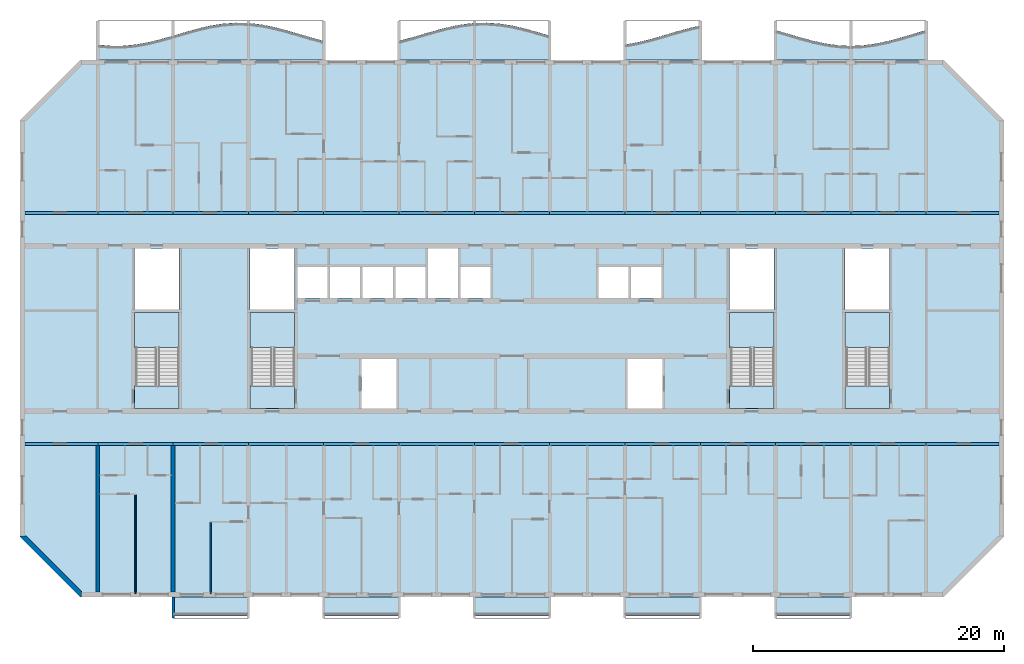
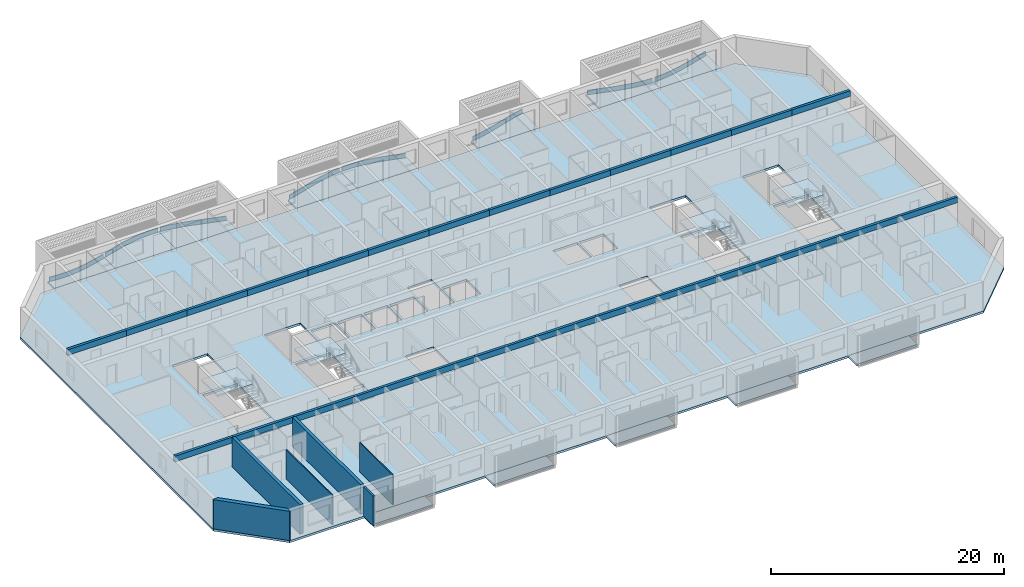
# One storey, part 1 of 32: 26 beams, 22 slabs, 8 plates, 6 walls, 4 elements without a shape of their own.
"""IFC4 building model written with IfcOpenShell, lengths in metres."""

from ifc_helpers import new_model, si_unit, direction, frame, frame_2d, origin, origin_2d, place, context, subcontext, project, spatial, polyline, rectangle, outline, extrude, source, transform, mapped, material, layer, layer_set, material_profile, profile_set, type_object, element, aggregate, save


model = new_model("IFC4")

# Units and contexts
model_context = context("Model", 3, precision=1e-05, world=origin(), true_north=direction((0.0, 1.0)))
body_context = subcontext(model_context, "Body", "Model", "MODEL_VIEW")
ifc_project = project(units=[si_unit("LENGTHUNIT", "METRE"), si_unit("AREAUNIT", "SQUARE_METRE"), si_unit("VOLUMEUNIT", "CUBIC_METRE"), si_unit("PLANEANGLEUNIT", "RADIAN"), si_unit("MASSUNIT", "GRAM", prefix="KILO")], contexts=[model_context])

# Site, building, storey
site_placement = place(None, origin())
site = spatial("IfcSite", under=ifc_project, at=site_placement, CompositionType="ELEMENT")
building_placement = place(site_placement, origin())
building = spatial("IfcBuilding", under=site, at=building_placement, Name="Poui Terraces", CompositionType="ELEMENT")
storey_placement = place(building_placement, frame((0.0, 0.0, 152.10009765625)))
storey = spatial("IfcBuildingStorey", under=building, at=storey_placement, Name="L42", CompositionType="ELEMENT", Elevation=152.10009765625)

# Beams
ifc_material_1 = material(Name="Concrete 65 MPa", Category="concrete")
ifc_material_profile = material_profile(ifc_material_1, rectangle(XDim=0.25, YDim=0.60009765625, at=origin_2d()), Name="RC 250x600")
ifc_profile_set = profile_set([ifc_material_profile], Name="Concrete 65 MPa")
beam_type = type_object("IfcBeamType", Name="COUPLING BEAM 250x600 65MPa", PredefinedType="BEAM", material=ifc_profile_set)
shared_shape_1 = source(origin(), body_context, "Body", "SweptSolid", [
    extrude(rectangle(XDim=0.25, YDim=0.60009765625, at=origin_2d()), origin(), (0.0, 0.0, 1.0), 5.800048828125),
])
for number, where, z_axis, x_axis, name in (
    (1, (12.199951171875, 12.0, 2.77001953125), (1.0, 0.0, 0.0), (0.0, 1.0, 0.0), "COUPLING BEAM LINE B BAY 1"),
    (2, (84.0, 12.0, 2.77001953125), (1.0, 0.0, 0.0), (0.0, 1.0, 0.0), "COUPLING BEAM LINE B BAY 13"),
    (3, (12.199951171875, 30.39990234375, 2.77001953125), (1.0, 0.0, 0.0), (0.0, 1.0, 0.0), "COUPLING BEAM LINE E BAY 1"),
    (4, (84.0, 30.39990234375, 2.77001953125), (1.0, 0.0, 0.0), (0.0, 1.0, 0.0), "COUPLING BEAM LINE E BAY 13"),
):
    element("IfcBeam", number, at=place(storey_placement, frame(where, z_axis=z_axis, x_axis=x_axis)), inside=storey, type_object=beam_type, Name=name, PredefinedType="BEAM", context=body_context, shape_type="MappedRepresentation", body=[
        mapped(shared_shape_1, transform((0.0, 0.0, 0.0))),
    ])
shared_shape_2 = source(origin(), body_context, "Body", "SweptSolid", [
    extrude(rectangle(XDim=0.25, YDim=0.60009765625, at=origin_2d()), origin(), (0.0, 0.0, 1.0), 6.0),
])
for number, where, z_axis, x_axis, name in (
    (5, (18.0, 12.0, 2.77001953125), (1.0, 0.0, 0.0), (0.0, 1.0, 0.0), "COUPLING BEAM LINE B BAY 2"),
    (6, (24.0, 12.0, 2.77001953125), (1.0, 0.0, 0.0), (0.0, 1.0, 0.0), "COUPLING BEAM LINE B BAY 3"),
    (7, (30.0, 12.0, 2.77001953125), (1.0, 0.0, 0.0), (0.0, 1.0, 0.0), "COUPLING BEAM LINE B BAY 4"),
    (8, (36.0, 12.0, 2.77001953125), (1.0, 0.0, 0.0), (0.0, 1.0, 0.0), "COUPLING BEAM LINE B BAY 5"),
    (9, (42.0, 12.0, 2.77001953125), (1.0, 0.0, 0.0), (0.0, 1.0, 0.0), "COUPLING BEAM LINE B BAY 6"),
    (10, (48.0, 12.0, 2.77001953125), (1.0, 0.0, 0.0), (0.0, 1.0, 0.0), "COUPLING BEAM LINE B BAY 7"),
    (11, (54.0, 12.0, 2.77001953125), (1.0, 0.0, 0.0), (0.0, 1.0, 0.0), "COUPLING BEAM LINE B BAY 8"),
    (12, (60.0, 12.0, 2.77001953125), (1.0, 0.0, 0.0), (0.0, 1.0, 0.0), "COUPLING BEAM LINE B BAY 9"),
    (13, (66.0, 12.0, 2.77001953125), (1.0, 0.0, 0.0), (0.0, 1.0, 0.0), "COUPLING BEAM LINE B BAY 10"),
    (14, (72.0, 12.0, 2.77001953125), (1.0, 0.0, 0.0), (0.0, 1.0, 0.0), "COUPLING BEAM LINE B BAY 11"),
    (15, (78.0, 12.0, 2.77001953125), (1.0, 0.0, 0.0), (0.0, 1.0, 0.0), "COUPLING BEAM LINE B BAY 12"),
    (16, (18.0, 30.39990234375, 2.77001953125), (1.0, 0.0, 0.0), (0.0, 1.0, 0.0), "COUPLING BEAM LINE E BAY 2"),
    (17, (24.0, 30.39990234375, 2.77001953125), (1.0, 0.0, 0.0), (0.0, 1.0, 0.0), "COUPLING BEAM LINE E BAY 3"),
    (18, (30.0, 30.39990234375, 2.77001953125), (1.0, 0.0, 0.0), (0.0, 1.0, 0.0), "COUPLING BEAM LINE E BAY 4"),
    (19, (36.0, 30.39990234375, 2.77001953125), (1.0, 0.0, 0.0), (0.0, 1.0, 0.0), "COUPLING BEAM LINE E BAY 5"),
    (20, (42.0, 30.39990234375, 2.77001953125), (1.0, 0.0, 0.0), (0.0, 1.0, 0.0), "COUPLING BEAM LINE E BAY 6"),
    (21, (48.0, 30.39990234375, 2.77001953125), (1.0, 0.0, 0.0), (0.0, 1.0, 0.0), "COUPLING BEAM LINE E BAY 7"),
    (22, (54.0, 30.39990234375, 2.77001953125), (1.0, 0.0, 0.0), (0.0, 1.0, 0.0), "COUPLING BEAM LINE E BAY 8"),
    (23, (60.0, 30.39990234375, 2.77001953125), (1.0, 0.0, 0.0), (0.0, 1.0, 0.0), "COUPLING BEAM LINE E BAY 9"),
    (24, (66.0, 30.39990234375, 2.77001953125), (1.0, 0.0, 0.0), (0.0, 1.0, 0.0), "COUPLING BEAM LINE E BAY 10"),
    (25, (72.0, 30.39990234375, 2.77001953125), (1.0, 0.0, 0.0), (0.0, 1.0, 0.0), "COUPLING BEAM LINE E BAY 11"),
    (26, (78.0, 30.39990234375, 2.77001953125), (1.0, 0.0, 0.0), (0.0, 1.0, 0.0), "COUPLING BEAM LINE E BAY 12"),
):
    element("IfcBeam", number, at=place(storey_placement, frame(where, z_axis=z_axis, x_axis=x_axis)), inside=storey, type_object=beam_type, Name=name, PredefinedType="BEAM", context=body_context, shape_type="MappedRepresentation", body=[
        mapped(shared_shape_2, transform((0.0, 0.0, 0.0))),
    ])

# Slabs
ifc_material_2 = material(Name="Precast concrete 40 MPa", Category="concrete")
ifc_layer_1 = layer(ifc_material_2, 0.199951171875)
ifc_layer_set_1 = layer_set([ifc_layer_1], Name="Precast concrete 40 MPa")
slab_type_1 = type_object("IfcSlabType", Name="BALCONY SLAB 200", PredefinedType="FLOOR", material=ifc_layer_set_1)
slab_1_placement = place(storey_placement, frame((0.0, 0.0, -0.2001953125)))
element("IfcSlab", 27, at=slab_1_placement, inside=storey, type_object=slab_type_1, Name="BALCONY SLAB", PredefinedType="FLOOR", context=body_context, shape_type="SweptSolid", body=[
    extrude(outline(polyline([(18.0, 42.60009765625), (24.0, 42.60009765625), (24.0, 44.513427734375), (23.0, 44.228515625), (22.0, 43.984130859375), (21.0, 43.805908203125), (20.0, 43.7119140625), (19.0, 43.7119140625), (18.0, 43.805908203125), (18.0, 42.60009765625)])), origin(), (0.0, 0.0, 1.0), 0.2001953125),
])
slab_2_placement = place(storey_placement, frame((0.0, 0.0, -0.2001953125)))
element("IfcSlab", 28, at=slab_2_placement, inside=storey, type_object=slab_type_1, Name="BALCONY SLAB", PredefinedType="FLOOR", context=body_context, shape_type="SweptSolid", body=[
    extrude(outline(polyline([(24.0, 42.60009765625), (30.0, 42.60009765625), (30.0, 45.523193359375), (29.0, 45.547119140625), (28.0, 45.47607421875), (27.0, 45.3173828125), (26.0, 45.08740234375), (25.0, 44.81005859375), (24.0, 44.513427734375), (24.0, 42.60009765625)])), origin(), (0.0, 0.0, 1.0), 0.2001953125),
])
slab_3_placement = place(storey_placement, frame((0.0, 0.0, -0.2001953125)))
element("IfcSlab", 29, at=slab_3_placement, inside=storey, type_object=slab_type_1, Name="BALCONY SLAB", PredefinedType="FLOOR", context=body_context, shape_type="SweptSolid", body=[
    extrude(outline(polyline([(30.0, 42.60009765625), (36.0, 42.60009765625), (36.0, 44.099609375), (35.0, 44.36767578125), (34.0, 44.662109375), (33.0, 44.952880859375), (32.0, 45.2099609375), (31.0, 45.40673828125), (30.0, 45.523193359375), (30.0, 42.60009765625)])), origin(), (0.0, 0.0, 1.0), 0.2001953125),
])
slab_4_placement = place(storey_placement, frame((0.0, 0.0, -0.2001953125)))
element("IfcSlab", 30, at=slab_4_placement, inside=storey, type_object=slab_type_1, Name="BALCONY SLAB", PredefinedType="FLOOR", context=body_context, shape_type="SweptSolid", body=[
    extrude(outline(polyline([(42.0, 42.60009765625), (48.0, 42.60009765625), (48.0, 45.523193359375), (47.0, 45.40673828125), (46.0, 45.2099609375), (45.0, 44.952880859375), (44.0, 44.662109375), (43.0, 44.36767578125), (42.0, 44.099609375), (42.0, 42.60009765625)])), origin(), (0.0, 0.0, 1.0), 0.2001953125),
])
slab_5_placement = place(storey_placement, frame((0.0, 0.0, -0.2001953125)))
element("IfcSlab", 31, at=slab_5_placement, inside=storey, type_object=slab_type_1, Name="BALCONY SLAB", PredefinedType="FLOOR", context=body_context, shape_type="SweptSolid", body=[
    extrude(outline(polyline([(48.0, 42.60009765625), (54.0, 42.60009765625), (54.0, 44.513427734375), (53.0, 44.81005859375), (52.0, 45.08740234375), (51.0, 45.3173828125), (50.0, 45.47607421875), (49.0, 45.547119140625), (48.0, 45.523193359375), (48.0, 42.60009765625)])), origin(), (0.0, 0.0, 1.0), 0.2001953125),
])
slab_6_placement = place(storey_placement, frame((0.0, 0.0, -0.2001953125)))
element("IfcSlab", 32, at=slab_6_placement, inside=storey, type_object=slab_type_1, Name="BALCONY SLAB", PredefinedType="FLOOR", context=body_context, shape_type="SweptSolid", body=[
    extrude(outline(polyline([(60.0, 42.60009765625), (66.0, 42.60009765625), (66.0, 45.3173828125), (65.0, 45.08740234375), (64.0, 44.81005859375), (63.0, 44.513427734375), (62.0, 44.228515625), (61.0, 43.984130859375), (60.0, 43.805908203125), (60.0, 42.60009765625)])), origin(), (0.0, 0.0, 1.0), 0.2001953125),
])
slab_7_placement = place(storey_placement, frame((0.0, 0.0, -0.2001953125)))
element("IfcSlab", 33, at=slab_7_placement, inside=storey, type_object=slab_type_1, Name="BALCONY SLAB", PredefinedType="FLOOR", context=body_context, shape_type="SweptSolid", body=[
    extrude(outline(polyline([(72.0, 42.60009765625), (78.0, 42.60009765625), (78.0, 43.699951171875), (77.0, 43.74755859375), (76.0, 43.885498046875), (75.0, 44.099609375), (74.0, 44.36767578125), (73.0, 44.662109375), (72.0, 44.952880859375), (72.0, 42.60009765625)])), origin(), (0.0, 0.0, 1.0), 0.2001953125),
])
slab_8_placement = place(storey_placement, frame((0.0, 0.0, -0.2001953125)))
element("IfcSlab", 34, at=slab_8_placement, inside=storey, type_object=slab_type_1, Name="BALCONY SLAB", PredefinedType="FLOOR", context=body_context, shape_type="SweptSolid", body=[
    extrude(outline(polyline([(78.0, 42.60009765625), (84.0, 42.60009765625), (84.0, 44.952880859375), (83.0, 44.662109375), (82.0, 44.36767578125), (81.0, 44.099609375), (80.0, 43.885498046875), (79.0, 43.74755859375), (78.0, 43.699951171875), (78.0, 42.60009765625)])), origin(), (0.0, 0.0, 1.0), 0.2001953125),
])

# Stair, slabs
stair_type = type_object("IfcStairType", Name="EXIT STAIR 1650 65 MPA", PredefinedType="HALF_TURN_STAIR", material=ifc_material_1)
stair_1_placement = place(storey_placement, origin())
stair_1 = element("IfcStair", 35, at=stair_1_placement, inside=storey, type_object=stair_type, Name="L42 CORE STAIR EAST", PredefinedType="HALF_TURN_STAIR")
ifc_layer_2 = layer(ifc_material_1, 0.199951171875)
ifc_layer_set_2 = layer_set([ifc_layer_2], Name="Concrete 65 MPa")
slab_type_2 = type_object("IfcSlabType", Name="STAIR LANDING 200 65 MPA", PredefinedType="LANDING", material=ifc_layer_set_2)
slab_9_placement = place(storey_placement, frame((0.0, 0.0, 1.44970703125)))
slab_9 = element("IfcSlab", 36, at=slab_9_placement, type_object=slab_type_2, Name="ST-CE landing 1", PredefinedType="LANDING", context=body_context, shape_type="SweptSolid", body=[
    extrude(outline(polyline([(68.324951171875, 19.679931640625), (71.875, 19.679931640625), (71.875, 22.47509765625), (68.324951171875, 22.47509765625), (68.324951171875, 19.679931640625)])), origin(), (0.0, 0.0, 1.0), 0.2001953125),
])
slab_10_placement = place(storey_placement, frame((0.0, 0.0, -0.2001953125)))
slab_10 = element("IfcSlab", 37, at=slab_10_placement, type_object=slab_type_2, Name="ST-CE landing 2", PredefinedType="LANDING", context=body_context, shape_type="SweptSolid", body=[
    extrude(outline(polyline([(68.324951171875, 14.824951171875), (71.875, 14.824951171875), (71.875, 16.60009765625), (68.324951171875, 16.60009765625), (68.324951171875, 14.824951171875)])), origin(), (0.0, 0.0, 1.0), 0.2001953125),
])
aggregate(stair_1, [slab_9, slab_10])

stair_2_placement = place(storey_placement, origin())
stair_2 = element("IfcStair", 38, at=stair_2_placement, inside=storey, type_object=stair_type, Name="L42 CORE STAIR WEST", PredefinedType="HALF_TURN_STAIR")
slab_11_placement = place(storey_placement, frame((0.0, 0.0, 1.44970703125)))
slab_11 = element("IfcSlab", 39, at=slab_11_placement, type_object=slab_type_2, Name="ST-CW landing 1", PredefinedType="LANDING", context=body_context, shape_type="SweptSolid", body=[
    extrude(outline(polyline([(30.125, 19.679931640625), (33.675048828125, 19.679931640625), (33.675048828125, 22.47509765625), (30.125, 22.47509765625), (30.125, 19.679931640625)])), origin(), (0.0, 0.0, 1.0), 0.2001953125),
])
slab_12_placement = place(storey_placement, frame((0.0, 0.0, -0.2001953125)))
slab_12 = element("IfcSlab", 40, at=slab_12_placement, type_object=slab_type_2, Name="ST-CW landing 2", PredefinedType="LANDING", context=body_context, shape_type="SweptSolid", body=[
    extrude(outline(polyline([(30.125, 14.824951171875), (33.675048828125, 14.824951171875), (33.675048828125, 16.60009765625), (30.125, 16.60009765625), (30.125, 14.824951171875)])), origin(), (0.0, 0.0, 1.0), 0.2001953125),
])
aggregate(stair_2, [slab_11, slab_12])

stair_3_placement = place(storey_placement, origin())
stair_3 = element("IfcStair", 41, at=stair_3_placement, inside=storey, type_object=stair_type, Name="L42 TIP STAIR EAST", PredefinedType="HALF_TURN_STAIR")
slab_13_placement = place(storey_placement, frame((0.0, 0.0, 1.44970703125)))
slab_13 = element("IfcSlab", 42, at=slab_13_placement, type_object=slab_type_2, Name="ST-E landing 1", PredefinedType="LANDING", context=body_context, shape_type="SweptSolid", body=[
    extrude(outline(polyline([(77.52490234375, 19.679931640625), (81.074951171875, 19.679931640625), (81.074951171875, 22.47509765625), (77.52490234375, 22.47509765625), (77.52490234375, 19.679931640625)])), origin(), (0.0, 0.0, 1.0), 0.2001953125),
])
slab_14_placement = place(storey_placement, frame((0.0, 0.0, -0.2001953125)))
slab_14 = element("IfcSlab", 43, at=slab_14_placement, type_object=slab_type_2, Name="ST-E landing 2", PredefinedType="LANDING", context=body_context, shape_type="SweptSolid", body=[
    extrude(outline(polyline([(77.52490234375, 14.824951171875), (81.074951171875, 14.824951171875), (81.074951171875, 16.60009765625), (77.52490234375, 16.60009765625), (77.52490234375, 14.824951171875)])), origin(), (0.0, 0.0, 1.0), 0.2001953125),
])
aggregate(stair_3, [slab_13, slab_14])

stair_4_placement = place(storey_placement, origin())
stair_4 = element("IfcStair", 44, at=stair_4_placement, inside=storey, type_object=stair_type, Name="L42 TIP STAIR WEST", PredefinedType="HALF_TURN_STAIR")
slab_15_placement = place(storey_placement, frame((0.0, 0.0, 1.44970703125)))
slab_15 = element("IfcSlab", 45, at=slab_15_placement, type_object=slab_type_2, Name="ST-W landing 1", PredefinedType="LANDING", context=body_context, shape_type="SweptSolid", body=[
    extrude(outline(polyline([(20.925048828125, 19.679931640625), (24.47509765625, 19.679931640625), (24.47509765625, 22.47509765625), (20.925048828125, 22.47509765625), (20.925048828125, 19.679931640625)])), origin(), (0.0, 0.0, 1.0), 0.2001953125),
])
slab_16_placement = place(storey_placement, frame((0.0, 0.0, -0.2001953125)))
slab_16 = element("IfcSlab", 46, at=slab_16_placement, type_object=slab_type_2, Name="ST-W landing 2", PredefinedType="LANDING", context=body_context, shape_type="SweptSolid", body=[
    extrude(outline(polyline([(20.925048828125, 14.824951171875), (24.47509765625, 14.824951171875), (24.47509765625, 16.60009765625), (20.925048828125, 16.60009765625), (20.925048828125, 14.824951171875)])), origin(), (0.0, 0.0, 1.0), 0.2001953125),
])
aggregate(stair_4, [slab_15, slab_16])

# Plates
ifc_layer_3 = layer(ifc_material_2, 0.080078125)
ifc_layer_set_3 = layer_set([ifc_layer_3], Name="Precast concrete 40 MPa")
plate_type = type_object("IfcPlateType", Name="SUNSHADE UPSTAND 80", PredefinedType="SHEET", material=ifc_layer_set_3)
plate_1_placement = place(storey_placement, origin())
element("IfcPlate", 47, at=plate_1_placement, inside=storey, type_object=plate_type, Name="SUNSHADE UPSTAND", PredefinedType="SHEET", context=body_context, shape_type="SweptSolid", body=[
    extrude(outline(polyline([(19.001708984375, 43.70703125), (18.12841796875, 43.7841796875), (18.12158203125, 43.70458984375), (18.998291015625, 43.626953125), (20.001953125, 43.626953125), (21.00537109375, 43.72119140625), (22.00830078125, 43.900146484375), (23.01025390625, 44.144775390625), (23.885986328125, 44.39306640625), (23.864013671875, 44.47021484375), (22.98974609375, 44.22216796875), (21.99169921875, 43.978515625), (20.99462890625, 43.800537109375), (19.998046875, 43.70703125), (19.001708984375, 43.70703125)])), origin(), (0.0, 0.0, 1.0), 0.449951171875),
])
plate_2_placement = place(storey_placement, origin())
element("IfcPlate", 48, at=plate_2_placement, inside=storey, type_object=plate_type, Name="SUNSHADE UPSTAND", PredefinedType="SHEET", context=body_context, shape_type="SweptSolid", body=[
    extrude(outline(polyline([(24.989013671875, 44.803466796875), (24.113525390625, 44.5439453125), (24.136474609375, 44.46728515625), (25.010986328125, 44.7265625), (26.009765625, 45.003662109375), (27.007568359375, 45.233154296875), (28.004638671875, 45.39111328125), (29.001220703125, 45.4619140625), (29.874267578125, 45.4462890625), (29.875732421875, 45.526123046875), (29.840087890625, 45.52685546875), (28.998779296875, 45.5419921875), (27.995361328125, 45.470703125), (26.992431640625, 45.311767578125), (25.990234375, 45.081298828125), (24.989013671875, 44.803466796875)])), origin(), (0.0, 0.0, 1.0), 0.449951171875),
])
plate_3_placement = place(storey_placement, origin())
element("IfcPlate", 49, at=plate_3_placement, inside=storey, type_object=plate_type, Name="SUNSHADE UPSTAND", PredefinedType="SHEET", context=body_context, shape_type="SweptSolid", body=[
    extrude(outline(polyline([(31.00634765625, 45.4013671875), (30.15966796875, 45.50439453125), (30.1298828125, 45.508056640625), (30.1201171875, 45.4287109375), (30.99365234375, 45.322265625), (31.9912109375, 45.1259765625), (32.989501953125, 44.869384765625), (33.98876953125, 44.578857421875), (34.989013671875, 44.2841796875), (35.864501953125, 44.047119140625), (35.885498046875, 44.124267578125), (35.010986328125, 44.361083984375), (34.01123046875, 44.655517578125), (33.010498046875, 44.946533203125), (32.0087890625, 45.2041015625), (31.00634765625, 45.4013671875)])), origin(), (0.0, 0.0, 1.0), 0.449951171875),
])
plate_4_placement = place(storey_placement, origin())
element("IfcPlate", 50, at=plate_4_placement, inside=storey, type_object=plate_type, Name="SUNSHADE UPSTAND", PredefinedType="SHEET", context=body_context, shape_type="SweptSolid", body=[
    extrude(outline(polyline([(42.989013671875, 44.361083984375), (42.114501953125, 44.124267578125), (42.135498046875, 44.047119140625), (43.010986328125, 44.2841796875), (44.01123046875, 44.578857421875), (45.010498046875, 44.869384765625), (46.0087890625, 45.1259765625), (47.00634765625, 45.322265625), (47.8798828125, 45.4287109375), (47.8701171875, 45.508056640625), (47.84033203125, 45.50439453125), (46.99365234375, 45.4013671875), (45.9912109375, 45.2041015625), (44.989501953125, 44.946533203125), (43.98876953125, 44.655517578125), (42.989013671875, 44.361083984375)])), origin(), (0.0, 0.0, 1.0), 0.449951171875),
])
plate_5_placement = place(storey_placement, origin())
element("IfcPlate", 51, at=plate_5_placement, inside=storey, type_object=plate_type, Name="SUNSHADE UPSTAND", PredefinedType="SHEET", context=body_context, shape_type="SweptSolid", body=[
    extrude(outline(polyline([(49.001220703125, 45.5419921875), (48.159912109375, 45.52685546875), (48.124267578125, 45.526123046875), (48.125732421875, 45.4462890625), (48.998779296875, 45.4619140625), (49.995361328125, 45.39111328125), (50.992431640625, 45.233154296875), (51.990234375, 45.003662109375), (52.989013671875, 44.7265625), (53.863525390625, 44.46728515625), (53.886474609375, 44.5439453125), (53.010986328125, 44.803466796875), (52.009765625, 45.081298828125), (51.007568359375, 45.311767578125), (50.004638671875, 45.470703125), (49.001220703125, 45.5419921875)])), origin(), (0.0, 0.0, 1.0), 0.449951171875),
])
plate_6_placement = place(storey_placement, origin())
element("IfcPlate", 52, at=plate_6_placement, inside=storey, type_object=plate_type, Name="SUNSHADE UPSTAND", PredefinedType="SHEET", context=body_context, shape_type="SweptSolid", body=[
    extrude(outline(polyline([(60.99169921875, 43.978515625), (60.117919921875, 43.818359375), (60.132080078125, 43.739501953125), (61.00830078125, 43.900146484375), (62.01025390625, 44.144775390625), (63.01123046875, 44.43017578125), (64.010986328125, 44.7265625), (65.010009765625, 45.003662109375), (65.884033203125, 45.208251953125), (65.865966796875, 45.2861328125), (64.989990234375, 45.081298828125), (63.989013671875, 44.803466796875), (62.98876953125, 44.5068359375), (61.98974609375, 44.22216796875), (60.99169921875, 43.978515625)])), origin(), (0.0, 0.0, 1.0), 0.449951171875),
])
plate_7_placement = place(storey_placement, origin())
element("IfcPlate", 53, at=plate_7_placement, inside=storey, type_object=plate_type, Name="SUNSHADE UPSTAND", PredefinedType="SHEET", context=body_context, shape_type="SweptSolid", body=[
    extrude(outline(polyline([(73.01123046875, 44.655517578125), (72.13623046875, 44.911376953125), (72.11376953125, 44.83447265625), (72.98876953125, 44.578857421875), (73.9892578125, 44.2841796875), (74.990478515625, 44.015625), (75.9931640625, 43.801025390625), (76.99609375, 43.662841796875), (77.872802734375, 43.61572265625), (77.877197265625, 43.69580078125), (77.00390625, 43.742431640625), (76.0068359375, 43.8798828125), (75.009521484375, 44.093505859375), (74.0107421875, 44.361083984375), (73.01123046875, 44.655517578125)])), origin(), (0.0, 0.0, 1.0), 0.449951171875),
])
plate_8_placement = place(storey_placement, origin())
element("IfcPlate", 54, at=plate_8_placement, inside=storey, type_object=plate_type, Name="SUNSHADE UPSTAND", PredefinedType="SHEET", context=body_context, shape_type="SweptSolid", body=[
    extrude(outline(polyline([(78.99609375, 43.742431640625), (78.122802734375, 43.69580078125), (78.127197265625, 43.61572265625), (79.00390625, 43.662841796875), (80.0068359375, 43.801025390625), (81.009521484375, 44.015625), (82.0107421875, 44.2841796875), (83.01123046875, 44.578857421875), (83.88623046875, 44.83447265625), (83.86376953125, 44.911376953125), (82.98876953125, 44.655517578125), (81.9892578125, 44.361083984375), (80.990478515625, 44.093505859375), (79.9931640625, 43.8798828125), (78.99609375, 43.742431640625)])), origin(), (0.0, 0.0, 1.0), 0.449951171875),
])

# Slabs
ifc_material_3 = material(Name="Concrete 40 MPa", Category="concrete")
ifc_layer_4 = layer(ifc_material_3, 0.22998046875)
ifc_layer_set_4 = layer_set([ifc_layer_4], Name="Concrete 40 MPa")
slab_type_3 = type_object("IfcSlabType", Name="FLOOR SLAB 230", PredefinedType="FLOOR", material=ifc_layer_set_4)
shared_shape_3 = source(origin(), body_context, "Body", "SweptSolid", [
    extrude(outline(polyline([(0.0, 0.0), (4.800048828125, -4.800048828125), (73.599853515625, -4.800048828125), (78.39990234375, 0.0), (78.39990234375, 33.199951171875), (73.599853515625, 38.0), (4.800048828125, 38.0), (0.0, 33.199951171875), (0.0, 0.0)]), holes=[polyline([(27.199951171875, 10.224853515625), (27.199951171875, 14.1748046875), (30.0, 14.1748046875), (30.0, 10.224853515625), (27.199951171875, 10.224853515625)]), polyline([(9.224853515625, 17.849853515625), (12.675048828125, 17.849853515625), (12.675048828125, 12.0), (12.675048828125, 10.224853515625), (9.125, 10.224853515625), (9.125, 12.0), (9.224853515625, 12.0), (9.224853515625, 17.849853515625)]), polyline([(18.425048828125, 17.849853515625), (21.875, 17.849853515625), (21.875, 12.0), (21.875, 10.224853515625), (18.324951171875, 10.224853515625), (18.324951171875, 12.0), (18.425048828125, 12.0), (18.425048828125, 17.849853515625)]), polyline([(22.099853515625, 19.02490234375), (22.099853515625, 21.5), (24.5, 21.5), (24.5, 19.02490234375), (22.099853515625, 19.02490234375)]), polyline([(24.699951171875, 19.02490234375), (24.699951171875, 21.5), (27.099853515625, 21.5), (27.099853515625, 19.02490234375), (24.699951171875, 19.02490234375)]), polyline([(27.300048828125, 19.02490234375), (27.300048828125, 21.5), (29.699951171875, 21.5), (29.699951171875, 19.02490234375), (27.300048828125, 19.02490234375)]), polyline([(29.89990234375, 19.02490234375), (29.89990234375, 21.5), (32.300048828125, 21.5), (32.300048828125, 19.02490234375), (29.89990234375, 19.02490234375)]), polyline([(9.125, 22.974853515625), (12.675048828125, 22.974853515625), (12.675048828125, 18.125), (9.125, 18.125), (9.125, 22.974853515625)]), polyline([(18.324951171875, 22.974853515625), (21.875, 22.974853515625), (21.875, 18.125), (18.324951171875, 18.125), (18.324951171875, 22.974853515625)]), polyline([(48.39990234375, 10.224853515625), (48.39990234375, 14.1748046875), (51.199951171875, 14.1748046875), (51.199951171875, 10.224853515625), (48.39990234375, 10.224853515625)]), polyline([(56.625, 17.849853515625), (60.074951171875, 17.849853515625), (60.074951171875, 12.0), (60.074951171875, 10.224853515625), (56.52490234375, 10.224853515625), (56.52490234375, 12.0), (56.625, 12.0), (56.625, 17.849853515625)]), polyline([(65.824951171875, 17.849853515625), (69.27490234375, 17.849853515625), (69.27490234375, 12.0), (69.27490234375, 10.224853515625), (65.724853515625, 10.224853515625), (65.724853515625, 12.0), (65.824951171875, 12.0), (65.824951171875, 17.849853515625)]), polyline([(35.099853515625, 19.02490234375), (35.099853515625, 21.5), (37.5, 21.5), (37.5, 19.02490234375), (35.099853515625, 19.02490234375)]), polyline([(46.099853515625, 19.02490234375), (46.099853515625, 21.5), (48.5, 21.5), (48.5, 19.02490234375), (46.099853515625, 19.02490234375)]), polyline([(48.699951171875, 19.02490234375), (48.699951171875, 21.5), (51.099853515625, 21.5), (51.099853515625, 19.02490234375), (48.699951171875, 19.02490234375)]), polyline([(56.52490234375, 18.125), (56.52490234375, 22.974853515625), (60.074951171875, 22.974853515625), (60.074951171875, 18.125), (56.52490234375, 18.125)]), polyline([(65.724853515625, 22.974853515625), (69.27490234375, 22.974853515625), (69.27490234375, 18.125), (65.724853515625, 18.125), (65.724853515625, 22.974853515625)]), polyline([(32.5, 22.974853515625), (34.89990234375, 22.974853515625), (34.89990234375, 19.02490234375), (32.5, 19.02490234375), (32.5, 22.974853515625)])]), origin(), (0.0, 0.0, 1.0), 0.230224609375),
])
slab_17_placement = place(storey_placement, frame((11.800048828125, 4.60009765625, -0.230224609375)))
element("IfcSlab", 55, at=slab_17_placement, inside=storey, type_object=slab_type_3, Name="FLOOR SLAB", PredefinedType="FLOOR", context=body_context, shape_type="MappedRepresentation", body=[
    mapped(shared_shape_3, transform((0.0, 0.0, 0.0))),
])
ifc_layer_5 = layer(ifc_material_2, 0.199951171875)
ifc_layer_set_5 = layer_set([ifc_layer_5], Name="Precast concrete 40 MPa")
slab_type_4 = type_object("IfcSlabType", Name="REAR BALCONY SLAB 200", PredefinedType="FLOOR", material=ifc_layer_set_5)
shared_shape_4 = source(origin(), body_context, "Body", "SweptSolid", [
    extrude(outline(polyline([(0.0, 0.0), (6.0, 0.0), (6.0, 1.5), (0.0, 1.5), (0.0, 0.0)])), origin(), (0.0, 0.0, 1.0), 0.2001953125),
])
for number, where, name in (
    (56, (24.0, -1.699951171875, -0.2001953125), "REAR BALCONY SLAB"),
    (57, (36.0, -1.699951171875, -0.2001953125), "REAR BALCONY SLAB"),
    (58, (48.0, -1.699951171875, -0.2001953125), "REAR BALCONY SLAB"),
    (59, (60.0, -1.699951171875, -0.2001953125), "REAR BALCONY SLAB"),
    (60, (72.0, -1.699951171875, -0.2001953125), "REAR BALCONY SLAB"),
):
    element("IfcSlab", number, at=place(storey_placement, frame(where)), inside=storey, type_object=slab_type_4, Name=name, PredefinedType="FLOOR", context=body_context, shape_type="MappedRepresentation", body=[
        mapped(shared_shape_4, transform((0.0, 0.0, 0.0))),
    ])

# Walls
ifc_layer_6 = layer(ifc_material_1, 0.300048828125)
ifc_layer_set_6 = layer_set([ifc_layer_6], Name="Concrete 65 MPa")
wall_type_1 = type_object("IfcWallType", Name="CROSS WALL 300 65MPa", PredefinedType="SHEAR", material=ifc_layer_set_6)
for number, where, z_axis, x_axis, name in (
    (61, (18.0, 0.199951171875, 0.0), (0.0, 0.0, 1.0), (0.0, 1.0, 0.0), "CROSS WALL LINE 4 SOUTH"),
    (62, (24.0, 0.199951171875, 0.0), (0.0, 0.0, 1.0), (0.0, 1.0, 0.0), "CROSS WALL LINE 5 SOUTH"),
):
    element("IfcWall", number, at=place(storey_placement, frame(where, z_axis=z_axis, x_axis=x_axis)), inside=storey, type_object=wall_type_1, Name=name, PredefinedType="SHEAR", context=body_context, shape_type="SweptSolid", body=[
        extrude(rectangle(XDim=11.675048828125, YDim=0.300048828125, at=frame_2d((5.83740234375, 0.0))), origin(), (0.0, 0.0, 1.0), 3.06982421875),
    ])
ifc_material_4 = material(Name="Plasterboard partition")
ifc_layer_7 = layer(ifc_material_4, 0.10009765625)
ifc_layer_set_7 = layer_set([ifc_layer_7], Name="Plasterboard partition")
wall_type_2 = type_object("IfcWallType", Name="FLAT PARTITION 100", PredefinedType="PARTITIONING", material=ifc_layer_set_7)
wall_1_placement = place(storey_placement, frame((21.0, 0.06005859375, 0.0), z_axis=(0.0, 0.0, 1.0), x_axis=(0.0, 1.0, 0.0)))
element("IfcWall", 63, at=wall_1_placement, inside=storey, type_object=wall_type_2, Name="FLAT PARTITION 100", PredefinedType="PARTITIONING", context=body_context, shape_type="SweptSolid", body=[
    extrude(rectangle(XDim=7.889892578125, YDim=0.10009765625, at=frame_2d((3.94482421875, 0.0))), origin(), (0.0, 0.0, 1.0), 3.06982421875),
])
wall_2_placement = place(storey_placement, frame((27.0, 0.06005859375, 0.0), z_axis=(0.0, 0.0, 1.0), x_axis=(0.0, 1.0, 0.0)))
element("IfcWall", 64, at=wall_2_placement, inside=storey, type_object=wall_type_2, Name="FLAT PARTITION 100", PredefinedType="PARTITIONING", context=body_context, shape_type="SweptSolid", body=[
    extrude(rectangle(XDim=5.68994140625, YDim=0.10009765625, at=frame_2d((2.844970703125, 0.0))), origin(), (0.0, 0.0, 1.0), 3.06982421875),
])
ifc_layer_8 = layer(ifc_material_2, 0.39990234375)
ifc_layer_set_8 = layer_set([ifc_layer_8], Name="Precast concrete 40 MPa")
wall_type_3 = type_object("IfcWallType", Name="TERRACOTTA CLAD CHAMFER WALL 400", PredefinedType="STANDARD", material=ifc_layer_set_8)
wall_3_placement = place(storey_placement, origin())
element("IfcWall", 65, at=wall_3_placement, inside=storey, type_object=wall_type_3, Name="CHAMFER WALL CH07", PredefinedType="STANDARD", context=body_context, shape_type="SweptSolid", body=[
    extrude(outline(polyline([(11.800048828125, 4.682861328125), (11.800048828125, 4.60009765625), (16.60009765625, -0.199951171875), (16.682861328125, -0.199951171875), (16.682861328125, 0.28271484375), (12.28271484375, 4.682861328125), (11.800048828125, 4.682861328125)])), origin(), (0.0, 0.0, 1.0), 3.06982421875),
])
ifc_layer_9 = layer(ifc_material_2, 0.199951171875)
ifc_layer_set_9 = layer_set([ifc_layer_9], Name="Precast concrete 40 MPa")
wall_type_4 = type_object("IfcWallType", Name="REAR FIN 200", PredefinedType="STANDARD", material=ifc_layer_set_9)
shared_shape_5 = source(origin(), body_context, "Body", "SweptSolid", [
    extrude(outline(polyline([(0.0, 0.0), (0.2001953125, 0.0), (0.2001953125, 1.650146484375), (0.0, 1.650146484375), (0.0, 0.0)])), origin(), (0.0, 0.0, 1.0), 3.099853515625),
])
wall_4_placement = place(storey_placement, frame((23.89990234375, -1.85009765625, 0.0)))
element("IfcWall", 66, at=wall_4_placement, inside=storey, type_object=wall_type_4, Name="REAR FIN", PredefinedType="STANDARD", context=body_context, shape_type="MappedRepresentation", body=[
    mapped(shared_shape_5, transform((0.0, 0.0, 0.0))),
])

save(model, "model.ifc")
